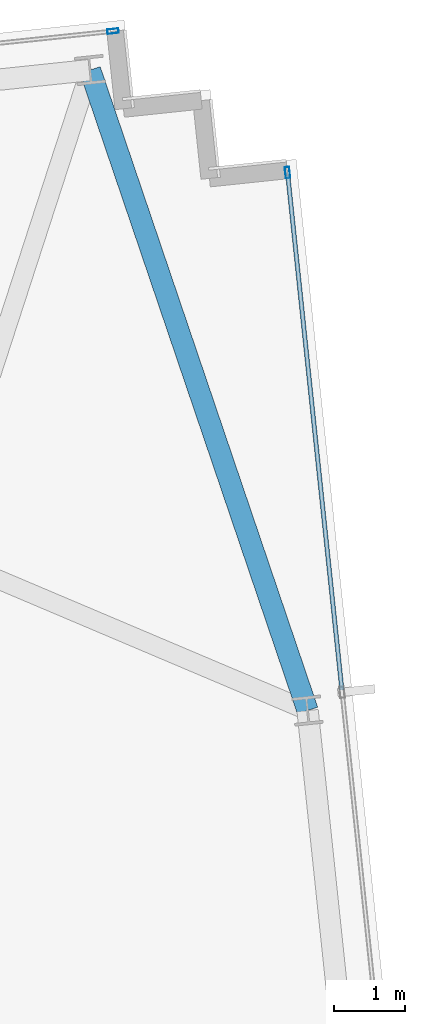
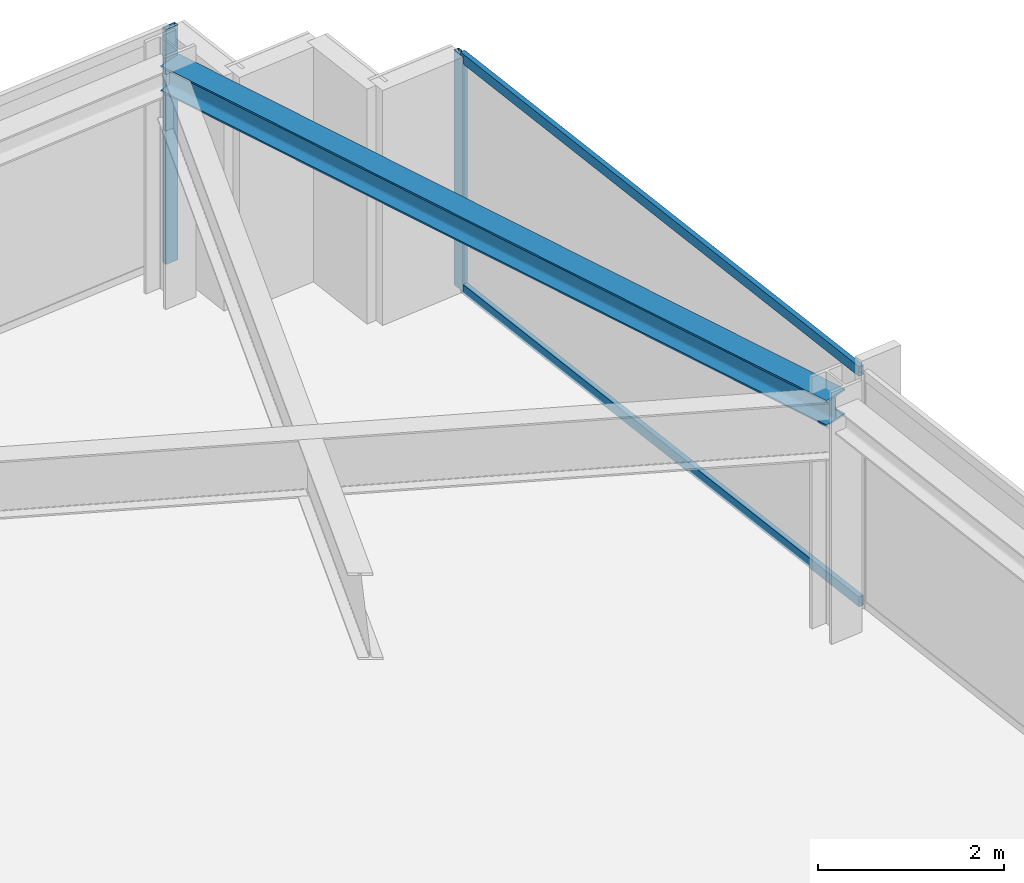
# One storey, part 25 of 33: 4 members, 1 beam, 2 elements without a shape of their own.
"""IFC4 building model written with IfcOpenShell, lengths in metres."""

from ifc_helpers import new_model, si_unit, direction, frame, origin, origin_2d, place, context, subcontext, project, spatial, hollow_rectangle, i_section, extrude, material, material_profile, profile_set, type_object, element, aggregate, save


model = new_model("IFC4")

# Units and contexts
model_context = context("Model", 3, precision=1e-05, world=origin(), true_north=direction((0.0, 1.0)))
body_context = subcontext(model_context, "Body", "Model", "MODEL_VIEW")
ifc_project = project(units=[si_unit("LENGTHUNIT", "METRE"), si_unit("AREAUNIT", "SQUARE_METRE"), si_unit("VOLUMEUNIT", "CUBIC_METRE"), si_unit("PLANEANGLEUNIT", "RADIAN"), si_unit("MASSUNIT", "GRAM", prefix="KILO")], contexts=[model_context])

# Site, building, storey
site_placement = place(None, origin())
site = spatial("IfcSite", under=ifc_project, at=site_placement, CompositionType="ELEMENT")
building_placement = place(site_placement, origin())
building = spatial("IfcBuilding", under=site, at=building_placement, Name="Yelkora Congress Tower", CompositionType="ELEMENT")
storey_placement = place(building_placement, frame((0.0, 0.0, 221.0)))
storey = spatial("IfcBuildingStorey", under=building, at=storey_placement, Name="L61", CompositionType="ELEMENT", Elevation=221.0)

# Beam
ifc_material_1 = material(Name="Steel S355J2", Category="steel")
ifc_material_profile_1 = material_profile(ifc_material_1, i_section(OverallWidth=0.300048828125, OverallDepth=0.340087890625, WebThickness=0.011962890625, FlangeThickness=0.021484375, FilletRadius=0.027099609375, at=origin_2d()), Name="HEB 340")
ifc_profile_set_1 = profile_set([ifc_material_profile_1], Name="Steel S355J2")
beam_type = type_object("IfcBeamType", Name="BM-SPAN-HEB340", PredefinedType="SPANDREL", material=ifc_profile_set_1)
beam_placement = place(storey_placement, frame((68.85400390625, 41.431884765625, 2.909912109375), z_axis=(-0.321575477611, 0.946883948644, 0.0), x_axis=(-0.946883948644, -0.321575477611, 0.0)))
element("IfcBeam", 1, at=beam_placement, inside=storey, type_object=beam_type, Name="L61 Perimeter Beam 12", PredefinedType="SPANDREL", context=body_context, shape_type="SweptSolid", body=[
    extrude(i_section(OverallWidth=0.300048828125, OverallDepth=0.340087890625, WebThickness=0.011962890625, FlangeThickness=0.021484375, FilletRadius=0.027099609375, at=origin_2d()), origin(), (0.0, 0.0, 1.0), 9.509765625),
])

# Curtain wall, member
ifc_material_2 = material(Name="Anodised aluminium and insulated glass", Category="aluminium")
curtain_wall_type = type_object("IfcCurtainWallType", Name="CW-SYS-B4", PredefinedType="NOTDEFINED", material=ifc_material_2)
curtain_wall_1_placement = place(storey_placement, origin())
curtain_wall_1 = element("IfcCurtainWall", 2, at=curtain_wall_1_placement, inside=storey, type_object=curtain_wall_type, Name="L61 Unitised Curtain Wall 10 (3)", PredefinedType="NOTDEFINED")
ifc_material_3 = material(Name="Anodised aluminium 6063-T6", Category="aluminium")
ifc_material_profile_2 = material_profile(ifc_material_3, hollow_rectangle(XDim=0.06494140625, YDim=0.159912109375, WallThickness=0.00390625, at=origin_2d()), Name="ALU 65x160x4")
ifc_profile_set_2 = profile_set([ifc_material_profile_2], Name="Anodised aluminium 6063-T6")
member_type_1 = type_object("IfcMemberType", Name="MEM-ML-B4", PredefinedType="MULLION", material=ifc_profile_set_2)
member_1_placement = place(storey_placement, frame((66.1181640625, 50.983154296875, 0.0), z_axis=(0.0, 0.0, 1.0), x_axis=(-0.104527724021, 0.994521973066, 0.0)))
member_1 = element("IfcMember", 3, at=member_1_placement, type_object=member_type_1, Name="CW-B4 mullion 7", PredefinedType="MULLION", context=body_context, shape_type="SweptSolid", body=[
    extrude(hollow_rectangle(XDim=0.06494140625, YDim=0.159912109375, WallThickness=0.00390625, at=origin_2d()), origin(), (0.0, 0.0, 1.0), 3.080078125),
])
aggregate(curtain_wall_1, [member_1])

# Curtain wall, members
curtain_wall_2_placement = place(storey_placement, origin())
curtain_wall_2 = element("IfcCurtainWall", 4, at=curtain_wall_2_placement, inside=storey, type_object=curtain_wall_type, Name="L61 Unitised Curtain Wall 15", PredefinedType="NOTDEFINED")
member_2_placement = place(storey_placement, frame((68.57177734375, 48.996337890625, 0.0), z_axis=(0.0, 0.0, 1.0), x_axis=(0.994522182968, 0.104525726898, 0.0)))
member_2 = element("IfcMember", 5, at=member_2_placement, type_object=member_type_1, Name="CW-B4 mullion 1", PredefinedType="MULLION", context=body_context, shape_type="SweptSolid", body=[
    extrude(hollow_rectangle(XDim=0.06494140625, YDim=0.159912109375, WallThickness=0.00390625, at=origin_2d()), origin(), (0.0, 0.0, 1.0), 3.080078125),
])
ifc_material_profile_3 = material_profile(ifc_material_3, hollow_rectangle(XDim=0.06005859375, YDim=0.1298828125, WallThickness=0.00390625, at=origin_2d()), Name="ALU 60x130x4")
ifc_profile_set_3 = profile_set([ifc_material_profile_3], Name="Anodised aluminium 6063-T6")
member_type_2 = type_object("IfcMemberType", Name="MEM-TR-B4", PredefinedType="USERDEFINED", material=ifc_profile_set_3)
member_3_placement = place(storey_placement, frame((68.5751953125, 48.9638671875, 0.030029296875), z_axis=(0.104531210832, -0.994521606584, 0.0), x_axis=(0.994521606584, 0.104531210832, 0.0)))
member_3 = element("IfcMember", 6, at=member_3_placement, type_object=member_type_2, Name="CW-B4 transom 1.1", ObjectType="TRANSOM", PredefinedType="USERDEFINED", context=body_context, shape_type="SweptSolid", body=[
    extrude(hollow_rectangle(XDim=0.06005859375, YDim=0.1298828125, WallThickness=0.00390625, at=origin_2d()), origin(), (0.0, 0.0, 1.0), 7.2822265625),
])
member_4_placement = place(storey_placement, frame((68.5751953125, 48.9638671875, 3.050048828125), z_axis=(0.104531210832, -0.994521606584, 0.0), x_axis=(0.994521606584, 0.104531210832, 0.0)))
member_4 = element("IfcMember", 7, at=member_4_placement, type_object=member_type_2, Name="CW-B4 transom 1.2", ObjectType="TRANSOM", PredefinedType="USERDEFINED", context=body_context, shape_type="SweptSolid", body=[
    extrude(hollow_rectangle(XDim=0.06005859375, YDim=0.1298828125, WallThickness=0.00390625, at=origin_2d()), origin(), (0.0, 0.0, 1.0), 7.2822265625),
])
aggregate(curtain_wall_2, [member_2, member_3, member_4])

save(model, "model.ifc")
